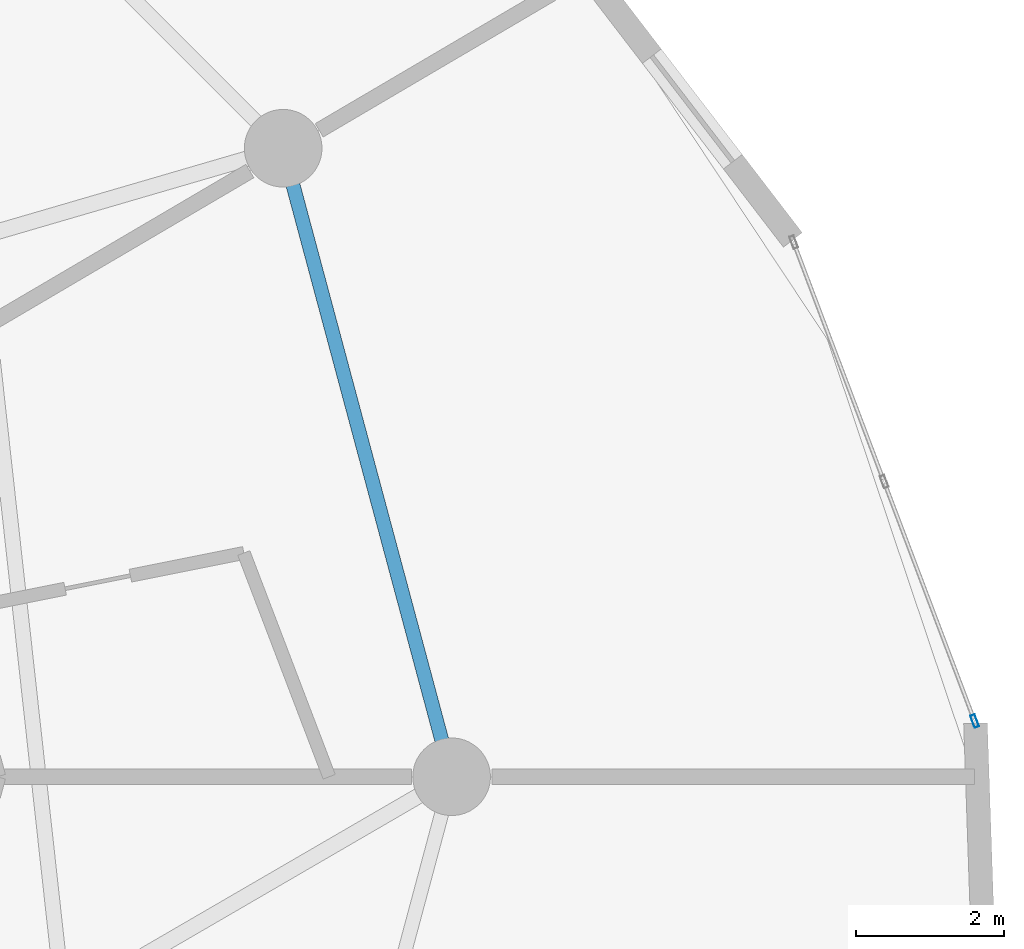
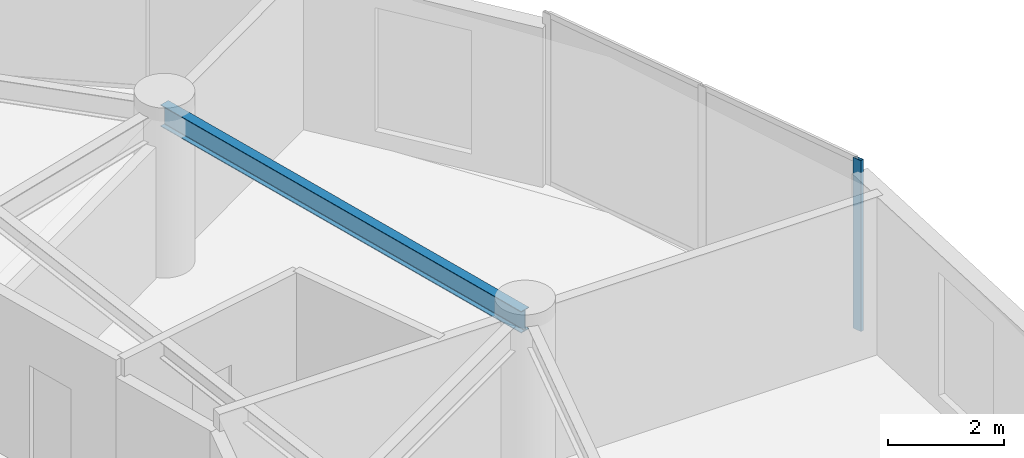
# One storey, part 13 of 25: 1 beam, 1 member, 1 element without a shape of its own.
"""IFC4 building model written with IfcOpenShell, lengths in metres."""

from ifc_helpers import new_model, si_unit, direction, frame, origin, origin_2d, place, context, subcontext, project, spatial, hollow_rectangle, i_section, extrude, source, transform, mapped, material, layer, layer_set, material_profile, profile_set, type_object, element, aggregate, save


model = new_model("IFC4")

# Units and contexts
model_context = context("Model", 3, precision=1e-05, world=origin(), true_north=direction((0.0, 1.0)))
body_context = subcontext(model_context, "Body", "Model", "MODEL_VIEW")
ifc_project = project(units=[si_unit("LENGTHUNIT", "METRE"), si_unit("AREAUNIT", "SQUARE_METRE"), si_unit("VOLUMEUNIT", "CUBIC_METRE"), si_unit("PLANEANGLEUNIT", "RADIAN"), si_unit("MASSUNIT", "GRAM", prefix="KILO")], contexts=[model_context])

# Site, building, storey
site_placement = place(None, origin())
site = spatial("IfcSite", under=ifc_project, at=site_placement, CompositionType="ELEMENT")
building_placement = place(site_placement, origin())
building = spatial("IfcBuilding", under=site, at=building_placement, Name="Solvirekh Grand Hotel", CompositionType="ELEMENT")
storey_placement = place(building_placement, frame((0.0, 0.0, 102.60009765625)))
storey = spatial("IfcBuildingStorey", under=building, at=storey_placement, Name="L25", CompositionType="ELEMENT", Elevation=102.60009765625)

# Beam
ifc_material_1 = material(Name="Steel S355", Category="steel")
ifc_material_profile_1 = material_profile(ifc_material_1, i_section(OverallWidth=0.18994140625, OverallDepth=0.45703125, WebThickness=0.009033203125, FlangeThickness=0.013916015625, FilletRadius=0.012939453125, at=origin_2d()), Name="W460X74")
ifc_profile_set_1 = profile_set([ifc_material_profile_1], Name="Steel S355")
beam_type = type_object("IfcBeamType", Name="Spandrel_Ring_W460", PredefinedType="SPANDREL", material=ifc_profile_set_1)
beam_placement = place(storey_placement, frame((17.0, 0.0, 3.121826171875), z_axis=(-0.258872908946, 0.965911391906, 0.0), x_axis=(-0.965911391906, -0.258872908946, 0.0)))
element("IfcBeam", 1, at=beam_placement, inside=storey, type_object=beam_type, Name="L25 perimeter spandrel beam 1", PredefinedType="SPANDREL", context=body_context, shape_type="SweptSolid", body=[
    extrude(i_section(OverallWidth=0.18994140625, OverallDepth=0.45703125, WebThickness=0.009033203125, FlangeThickness=0.013916015625, FilletRadius=0.012939453125, at=origin_2d()), origin(), (0.0, 0.0, 1.0), 8.800048828125),
])

# Curtain wall, member
ifc_material_2 = material(Name="Anodized Bronze Aluminium 6063-T6", Category="aluminium")
ifc_layer = layer(ifc_material_2, 0.175048828125)
ifc_layer_set = layer_set([ifc_layer], Name="Anodized Bronze Aluminium 6063-T6")
curtain_wall_type = type_object("IfcCurtainWallType", Name="CW_Sys3_MidZoneFlushBronzeCW", PredefinedType="NOTDEFINED", material=ifc_layer_set)
curtain_wall_placement = place(storey_placement, origin())
curtain_wall = element("IfcCurtainWall", 2, at=curtain_wall_placement, inside=storey, type_object=curtain_wall_type, Name="L25 unitised bronze-glass curtain wall CW-L25-C03", PredefinedType="NOTDEFINED")
ifc_material_profile_2 = material_profile(ifc_material_2, hollow_rectangle(XDim=0.06494140625, YDim=0.175048828125, WallThickness=0.0048828125, at=origin_2d()), Name="ALU RHS 175X65X5")
ifc_profile_set_2 = profile_set([ifc_material_profile_2], Name="Anodized Bronze Aluminium 6063-T6")
member_type = type_object("IfcMemberType", Name="CWMullion_Sys3", PredefinedType="MULLION", material=ifc_profile_set_2)
shared_shape = source(origin(), body_context, "Body", "SweptSolid", [
    extrude(hollow_rectangle(XDim=0.06494140625, YDim=0.175048828125, WallThickness=0.0048828125, at=origin_2d()), origin(), (0.0, 0.0, 1.0), 3.599853515625),
])
member_placement = place(storey_placement, frame((24.074462890625, 0.75341796875, 0.0), z_axis=(0.0, 0.0, 1.0), x_axis=(-0.935420579411, -0.353536899934, 0.0)))
member = element("IfcMember", 3, at=member_placement, type_object=member_type, Name="U03 mullion 1", PredefinedType="MULLION", context=body_context, shape_type="MappedRepresentation", body=[
    mapped(shared_shape, transform((0.0, 0.0, 0.0), x_axis=(1.0, 0.0, 0.0), y_axis=(0.0, 1.0, 0.0), z_axis=(0.0, 0.0, 1.0), scale=1.0)),
])
aggregate(curtain_wall, [member])

save(model, "model.ifc")
